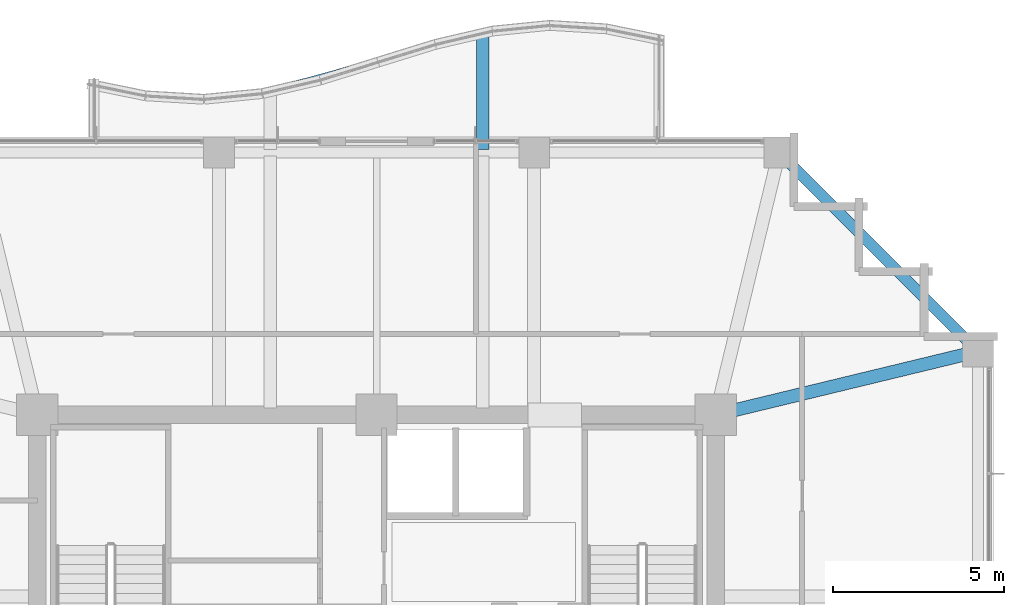
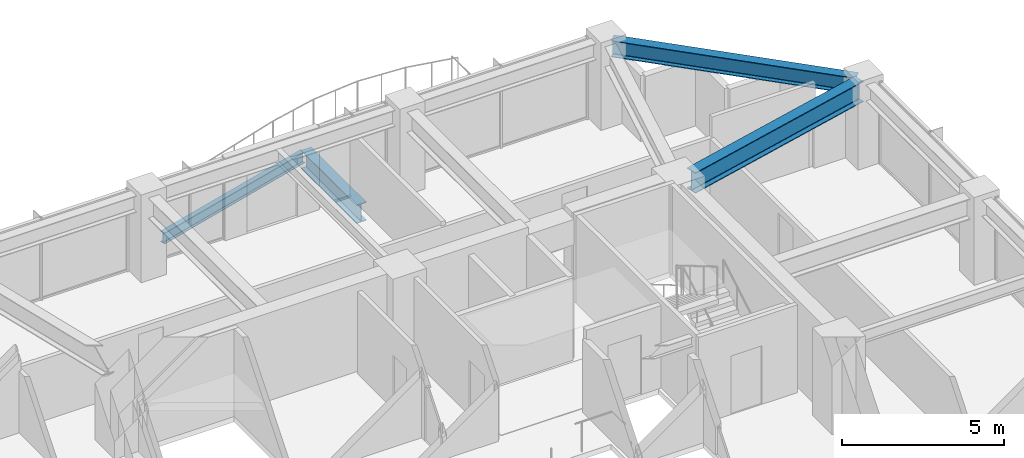
# One storey, part 20 of 31: 4 beams.
"""IFC4 building model written with IfcOpenShell, lengths in metres."""

from ifc_helpers import new_model, si_unit, direction, frame, origin, origin_2d, place, context, subcontext, project, spatial, i_section, extrude, material, material_profile, profile_set, type_object, element, save


model = new_model("IFC4")

# Units and contexts
model_context = context("Model", 3, precision=1e-05, world=origin(), true_north=direction((0.0, 1.0)))
body_context = subcontext(model_context, "Body", "Model", "MODEL_VIEW")
ifc_project = project(units=[si_unit("LENGTHUNIT", "METRE"), si_unit("AREAUNIT", "SQUARE_METRE"), si_unit("VOLUMEUNIT", "CUBIC_METRE"), si_unit("PLANEANGLEUNIT", "RADIAN"), si_unit("MASSUNIT", "GRAM", prefix="KILO")], contexts=[model_context])

# Site, building, storey
site_placement = place(None, origin())
site = spatial("IfcSite", under=ifc_project, at=site_placement, CompositionType="ELEMENT")
building_placement = place(site_placement, origin())
building = spatial("IfcBuilding", under=site, at=building_placement, Name="Kolvaren Belvedere", CompositionType="ELEMENT")
storey_placement = place(building_placement, frame((0.0, 0.0, 138.199951171875)))
storey = spatial("IfcBuildingStorey", under=building, at=storey_placement, Name="L40", CompositionType="ELEMENT", Elevation=138.199951171875)

# Beams
ifc_material_1 = material(Name="Structural steel ASTM A992 Grade 50", Category="steel")
ifc_material_profile_1 = material_profile(ifc_material_1, i_section(OverallWidth=0.35498046875, OverallDepth=0.696044921875, WebThickness=0.015380859375, FlangeThickness=0.02490234375, FilletRadius=0.02197265625, at=origin_2d()), Name="W27X146")
ifc_profile_set_1 = profile_set([ifc_material_profile_1], Name="Structural steel ASTM A992 Grade 50")
beam_type_1 = type_object("IfcBeamType", Name="BM-CANT-BAL", PredefinedType="BEAM", material=ifc_profile_set_1)
beam_1_placement = place(storey_placement, frame((3.10009765625, 17.64501953125, -0.5478515625), z_axis=(0.0, 1.0, 0.0), x_axis=(-1.0, 0.0, 0.0)))
element("IfcBeam", 1, at=beam_1_placement, inside=storey, type_object=beam_type_1, Name="L40 Planted Balcony Cantilever BAL-N-2", PredefinedType="BEAM", context=body_context, shape_type="SweptSolid", body=[
    extrude(i_section(OverallWidth=0.35498046875, OverallDepth=0.696044921875, WebThickness=0.015380859375, FlangeThickness=0.02490234375, FilletRadius=0.02197265625, at=origin_2d()), origin(), (0.0, 0.0, 1.0), 3.40625),
])
ifc_material_2 = material(Name="Structural steel ASTM A992 Grade 50", Category="steel")
ifc_material_profile_2 = material_profile(ifc_material_2, i_section(OverallWidth=0.180908203125, OverallDepth=0.4169921875, WebThickness=0.010986328125, FlangeThickness=0.018310546875, FilletRadius=0.013916015625, at=origin_2d()), Name="W16X57")
ifc_profile_set_2 = profile_set([ifc_material_profile_2], Name="Structural steel ASTM A992 Grade 50")
beam_type_2 = type_object("IfcBeamType", Name="BM-EDGE-W16X57", PredefinedType="BEAM", material=ifc_profile_set_2)
beam_2_placement = place(storey_placement, frame((-2.965087890625, 19.3857421875, -0.408447265625), z_axis=(0.964304286407, 0.26479660726, 0.0), x_axis=(-0.26479660726, 0.964304286407, 0.0)))
element("IfcBeam", 2, at=beam_2_placement, inside=storey, type_object=beam_type_2, Name="L40 Balcony Tip Header Beam BAL-N", PredefinedType="BEAM", context=body_context, shape_type="SweptSolid", body=[
    extrude(i_section(OverallWidth=0.180908203125, OverallDepth=0.4169921875, WebThickness=0.010986328125, FlangeThickness=0.018310546875, FilletRadius=0.013916015625, at=origin_2d()), origin(), (0.0, 0.0, 1.0), 6.149658203125),
])
ifc_material_3 = material(Name="Structural steel ASTM A992 Grade 50", Category="steel")
ifc_material_profile_3 = material_profile(ifc_material_3, i_section(OverallWidth=0.381103515625, OverallDepth=0.77294921875, WebThickness=0.0166015625, FlangeThickness=0.027099609375, FilletRadius=0.02392578125, at=origin_2d()), Name="W30X173")
ifc_profile_set_3 = profile_set([ifc_material_profile_3], Name="Structural steel ASTM A992 Grade 50")
beam_type_3 = type_object("IfcBeamType", Name="BM-GIRD-W30X173", PredefinedType="BEAM", material=ifc_profile_set_3)
beam_3_placement = place(storey_placement, frame((10.4345703125, 10.029296875, 2.713623046875), z_axis=(0.971980197119, 0.235062749937, 0.0), x_axis=(-0.235062749937, 0.971980197119, 0.0)))
element("IfcBeam", 3, at=beam_3_placement, inside=storey, type_object=beam_type_3, Name="L40 Corner Core-to-Perimeter Girder CC3-E4", PredefinedType="BEAM", context=body_context, shape_type="SweptSolid", body=[
    extrude(i_section(OverallWidth=0.381103515625, OverallDepth=0.77294921875, WebThickness=0.0166015625, FlangeThickness=0.027099609375, FilletRadius=0.02392578125, at=origin_2d()), origin(), (0.0, 0.0, 1.0), 7.140625),
])
ifc_material_4 = material(Name="Structural steel ASTM A992 Grade 50", Category="steel")
ifc_material_profile_4 = material_profile(ifc_material_4, i_section(OverallWidth=0.324951171875, OverallDepth=0.615966796875, WebThickness=0.013916015625, FlangeThickness=0.021484375, FilletRadius=0.02001953125, at=origin_2d()), Name="W24X117")
ifc_profile_set_4 = profile_set([ifc_material_profile_4], Name="Structural steel ASTM A992 Grade 50")
beam_type_4 = type_object("IfcBeamType", Name="BM-SPAN-W24X117", PredefinedType="SPANDREL", material=ifc_profile_set_4)
beam_4_placement = place(storey_placement, frame((17.40673828125, 11.893310546875, 2.7919921875), z_axis=(-0.707106781187, 0.707106781187, 0.0), x_axis=(-0.707106781187, -0.707106781187, 0.0)))
element("IfcBeam", 4, at=beam_4_placement, inside=storey, type_object=beam_type_4, Name="L40 Perimeter Spandrel E4-N4", PredefinedType="SPANDREL", context=body_context, shape_type="SweptSolid", body=[
    extrude(i_section(OverallWidth=0.324951171875, OverallDepth=0.615966796875, WebThickness=0.013916015625, FlangeThickness=0.021484375, FilletRadius=0.02001953125, at=origin_2d()), origin(), (0.0, 0.0, 1.0), 7.797119140625),
])

save(model, "model.ifc")
